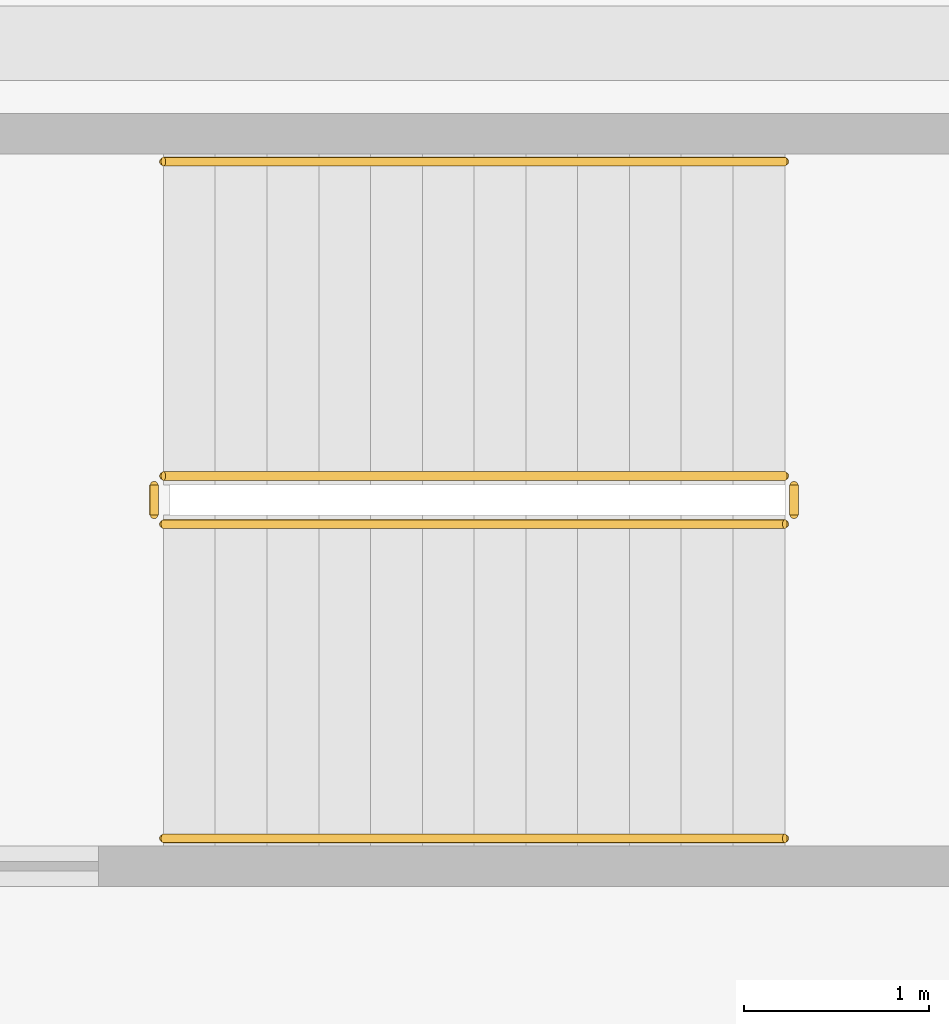
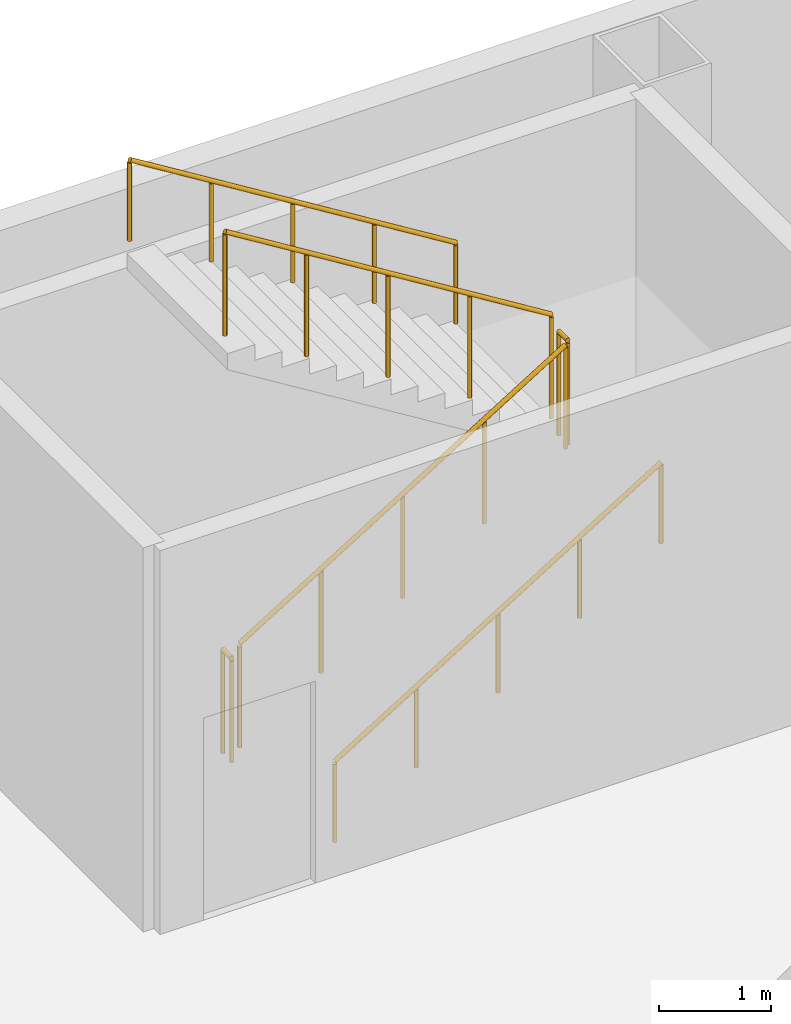
# One storey, part 26 of 26: 6 railings.
"""IFC4 building model written with IfcOpenShell, lengths in metres."""

from ifc_helpers import new_model, si_unit, direction, frame, origin, origin_2d, place, context, subcontext, project, spatial, circle, extrude, material, type_object, element, save


model = new_model("IFC4")

# Units and contexts
model_context = context("Model", 3, precision=1e-05, world=origin(), true_north=direction((0.0, 1.0)))
body_context = subcontext(model_context, "Body", "Model", "MODEL_VIEW")
ifc_project = project(units=[si_unit("LENGTHUNIT", "METRE"), si_unit("AREAUNIT", "SQUARE_METRE"), si_unit("VOLUMEUNIT", "CUBIC_METRE"), si_unit("PLANEANGLEUNIT", "RADIAN"), si_unit("MASSUNIT", "GRAM", prefix="KILO")], contexts=[model_context])

# Site, building, storey
site_placement = place(None, origin())
site = spatial("IfcSite", under=ifc_project, at=site_placement, CompositionType="ELEMENT")
building_placement = place(site_placement, origin())
building = spatial("IfcBuilding", under=site, at=building_placement, Name="Kolveth Station Tower", CompositionType="ELEMENT")
storey_placement = place(building_placement, frame((0.0, 0.0, 9.0)))
storey = spatial("IfcBuildingStorey", under=building, at=storey_placement, Name="L02", CompositionType="ELEMENT", Elevation=9.0)

# Railings
ifc_material_1 = material(Name="Painted Steel S355 balustrade", Category="steel")
railing_type_1 = type_object("IfcRailingType", Name="Guard_GR2", PredefinedType="BALUSTRADE", material=ifc_material_1)
railing_1_placement = place(storey_placement, frame((57.75, 37.14990234375, 0.173095703125)))
element("IfcRailing", 1, at=railing_1_placement, inside=storey, type_object=railing_type_1, Name="L02 ST3 stair guard 1", PredefinedType="BALUSTRADE", context=body_context, shape_type="SweptSolid", body=[
    extrude(circle(Radius=0.02392578125, at=origin_2d()), frame((0.0, 0.0, 1.1259765625), z_axis=(0.850623216509, 0.0, 0.525775754039), x_axis=(0.0, 1.0, 0.0)), (0.0, 0.0, 1.0), 3.9501953125),
    extrude(circle(Radius=0.02099609375, at=origin_2d()), origin(), (0.0, 0.0, 1.0), 1.101806640625),
    extrude(circle(Radius=0.02099609375, at=origin_2d()), frame((0.840087890625, 0.0, 0.519287109375)), (0.0, 0.0, 1.0), 1.101806640625),
    extrude(circle(Radius=0.02099609375, at=origin_2d()), frame((1.68017578125, 0.0, 1.03857421875)), (0.0, 0.0, 1.0), 1.101806640625),
    extrude(circle(Radius=0.02099609375, at=origin_2d()), frame((2.52001953125, 0.0, 1.5576171875)), (0.0, 0.0, 1.0), 1.101806640625),
    extrude(circle(Radius=0.02099609375, at=origin_2d()), frame((3.360107421875, 0.0, 2.076904296875)), (0.0, 0.0, 1.0), 1.101806640625),
])
railing_2_placement = place(storey_placement, frame((61.159912109375, 37.199951171875, 2.25)))
element("IfcRailing", 2, at=railing_2_placement, inside=storey, type_object=railing_type_1, Name="L02 ST3 stair guard 2", PredefinedType="BALUSTRADE", context=body_context, shape_type="SweptSolid", body=[
    extrude(circle(Radius=0.02392578125, at=origin_2d()), frame((0.0, 0.0, 1.1259765625), z_axis=(0.0, 1.0, 0.0), x_axis=(-1.0, 0.0, 0.0)), (0.0, 0.0, 1.0), 0.16015625),
    extrude(circle(Radius=0.02099609375, at=origin_2d()), origin(), (0.0, 0.0, 1.0), 1.101806640625),
    extrude(circle(Radius=0.02099609375, at=origin_2d()), frame((0.0, 0.16015625, 0.0)), (0.0, 0.0, 1.0), 1.101806640625),
])
railing_3_placement = place(storey_placement, frame((61.110107421875, 37.409912109375, 2.423095703125)))
element("IfcRailing", 3, at=railing_3_placement, inside=storey, type_object=railing_type_1, Name="L02 ST3 stair guard 3", PredefinedType="BALUSTRADE", context=body_context, shape_type="SweptSolid", body=[
    extrude(circle(Radius=0.02392578125, at=origin_2d()), frame((0.0, 0.0, 1.1259765625), z_axis=(-0.850623216509, 0.0, 0.525775754039), x_axis=(0.0, -1.0, 0.0)), (0.0, 0.0, 1.0), 3.9501953125),
    extrude(circle(Radius=0.02099609375, at=origin_2d()), origin(), (0.0, 0.0, 1.0), 1.101806640625),
    extrude(circle(Radius=0.02099609375, at=origin_2d()), frame((-0.840087890625, 0.0, 0.519287109375)), (0.0, 0.0, 1.0), 1.101806640625),
    extrude(circle(Radius=0.02099609375, at=origin_2d()), frame((-1.68017578125, 0.0, 1.03857421875)), (0.0, 0.0, 1.0), 1.101806640625),
    extrude(circle(Radius=0.02099609375, at=origin_2d()), frame((-2.52001953125, 0.0, 1.5576171875)), (0.0, 0.0, 1.0), 1.101806640625),
    extrude(circle(Radius=0.02099609375, at=origin_2d()), frame((-3.360107421875, 0.0, 2.076904296875)), (0.0, 0.0, 1.0), 1.101806640625),
])
railing_4_placement = place(storey_placement, frame((57.699951171875, 37.199951171875, 0.0)))
element("IfcRailing", 4, at=railing_4_placement, inside=storey, type_object=railing_type_1, Name="L02 ST3 stair guard 4", PredefinedType="BALUSTRADE", context=body_context, shape_type="SweptSolid", body=[
    extrude(circle(Radius=0.02392578125, at=origin_2d()), frame((0.0, 0.0, 1.1259765625), z_axis=(0.0, 1.0, 0.0), x_axis=(-1.0, 0.0, 0.0)), (0.0, 0.0, 1.0), 0.16015625),
    extrude(circle(Radius=0.02099609375, at=origin_2d()), origin(), (0.0, 0.0, 1.0), 1.101806640625),
    extrude(circle(Radius=0.02099609375, at=origin_2d()), frame((0.0, 0.16015625, 0.0)), (0.0, 0.0, 1.0), 1.101806640625),
])
ifc_material_2 = material(Name="Brushed stainless steel", Category="steel")
railing_type_2 = type_object("IfcRailingType", Name="Handrail_HR1", PredefinedType="HANDRAIL", material=ifc_material_2)
railing_5_placement = place(storey_placement, frame((57.75, 35.449951171875, 0.173095703125)))
element("IfcRailing", 5, at=railing_5_placement, inside=storey, type_object=railing_type_2, Name="L02 ST3 stair handrail 1", PredefinedType="HANDRAIL", context=body_context, shape_type="SweptSolid", body=[
    extrude(circle(Radius=0.02392578125, at=origin_2d()), frame((0.0, 0.0, 0.8759765625), z_axis=(0.850623216509, 0.0, 0.525775754039), x_axis=(0.0, 1.0, 0.0)), (0.0, 0.0, 1.0), 3.9501953125),
    extrude(circle(Radius=0.02099609375, at=origin_2d()), origin(), (0.0, 0.0, 1.0), 0.851806640625),
    extrude(circle(Radius=0.02099609375, at=origin_2d()), frame((0.840087890625, 0.0, 0.519287109375)), (0.0, 0.0, 1.0), 0.851806640625),
    extrude(circle(Radius=0.02099609375, at=origin_2d()), frame((1.68017578125, 0.0, 1.03857421875)), (0.0, 0.0, 1.0), 0.851806640625),
    extrude(circle(Radius=0.02099609375, at=origin_2d()), frame((2.52001953125, 0.0, 1.5576171875)), (0.0, 0.0, 1.0), 0.851806640625),
    extrude(circle(Radius=0.02099609375, at=origin_2d()), frame((3.360107421875, 0.0, 2.076904296875)), (0.0, 0.0, 1.0), 0.851806640625),
])
railing_6_placement = place(storey_placement, frame((61.110107421875, 39.110107421875, 2.423095703125)))
element("IfcRailing", 6, at=railing_6_placement, inside=storey, type_object=railing_type_2, Name="L02 ST3 stair handrail 2", PredefinedType="HANDRAIL", context=body_context, shape_type="SweptSolid", body=[
    extrude(circle(Radius=0.02392578125, at=origin_2d()), frame((0.0, 0.0, 0.8759765625), z_axis=(-0.850623216509, 0.0, 0.525775754039), x_axis=(0.0, -1.0, 0.0)), (0.0, 0.0, 1.0), 3.9501953125),
    extrude(circle(Radius=0.02099609375, at=origin_2d()), origin(), (0.0, 0.0, 1.0), 0.851806640625),
    extrude(circle(Radius=0.02099609375, at=origin_2d()), frame((-0.840087890625, 0.0, 0.519287109375)), (0.0, 0.0, 1.0), 0.851806640625),
    extrude(circle(Radius=0.02099609375, at=origin_2d()), frame((-1.68017578125, 0.0, 1.03857421875)), (0.0, 0.0, 1.0), 0.851806640625),
    extrude(circle(Radius=0.02099609375, at=origin_2d()), frame((-2.52001953125, 0.0, 1.5576171875)), (0.0, 0.0, 1.0), 0.851806640625),
    extrude(circle(Radius=0.02099609375, at=origin_2d()), frame((-3.360107421875, 0.0, 2.076904296875)), (0.0, 0.0, 1.0), 0.851806640625),
])

save(model, "model.ifc")
